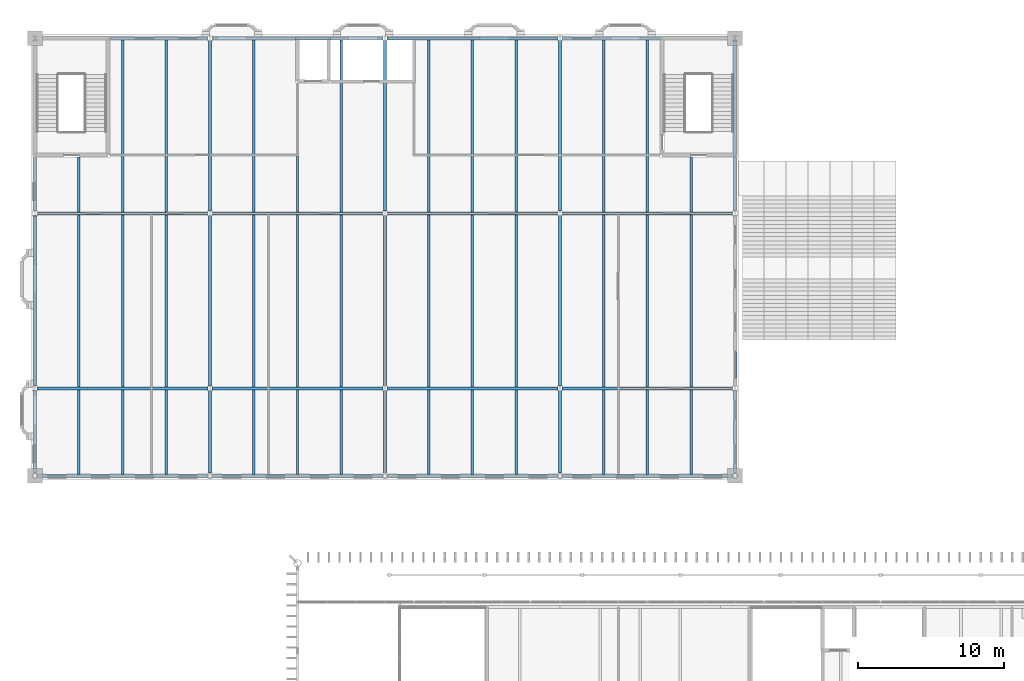
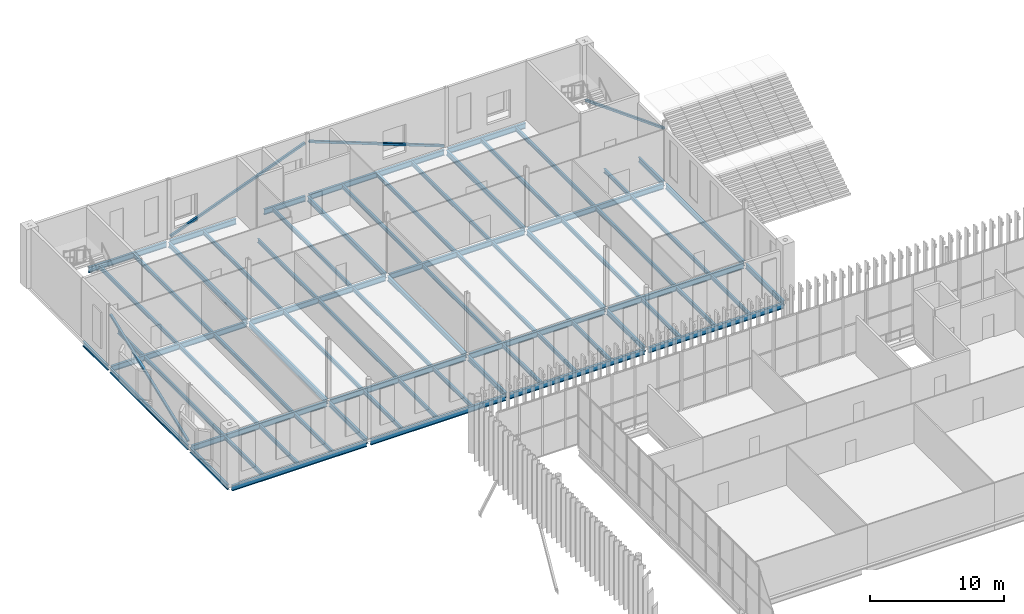
# One storey, part 76 of 170: 68 beams, 4 members.
"""IFC4 building model written with IfcOpenShell, lengths in metres."""

from ifc_helpers import new_model, si_unit, direction, frame, origin, origin_2d, place, context, subcontext, project, spatial, hollow_rectangle, i_section, extrude, material, material_profile, profile_set, type_object, element, save


model = new_model("IFC4")

# Units and contexts
model_context = context("Model", 3, precision=1e-05, world=origin(), true_north=direction((0.0, 1.0)))
body_context = subcontext(model_context, "Body", "Model", "MODEL_VIEW")
ifc_project = project(units=[si_unit("LENGTHUNIT", "METRE"), si_unit("AREAUNIT", "SQUARE_METRE"), si_unit("VOLUMEUNIT", "CUBIC_METRE"), si_unit("PLANEANGLEUNIT", "RADIAN"), si_unit("MASSUNIT", "GRAM", prefix="KILO")], contexts=[model_context])

# Site, building, storey
site_placement = place(None, origin())
site = spatial("IfcSite", under=ifc_project, at=site_placement, CompositionType="ELEMENT")
building_placement = place(site_placement, origin())
building = spatial("IfcBuilding", under=site, at=building_placement, Name="Ravi Spectrum Wholesale Market", CompositionType="ELEMENT")
storey_placement = place(building_placement, frame((0.0, 0.0, 5.39990234375)))
storey = spatial("IfcBuildingStorey", under=building, at=storey_placement, Name="L01", CompositionType="ELEMENT", Elevation=5.39990234375)

# Beams
ifc_material_1 = material(Name="Steel S355", Category="steel")
ifc_material_profile_1 = material_profile(ifc_material_1, i_section(OverallWidth=0.169921875, OverallDepth=0.360107421875, WebThickness=0.008056640625, FlangeThickness=0.0126953125, at=origin_2d()))
ifc_profile_set_1 = profile_set([ifc_material_profile_1], Name="Steel S355")
beam_type_1 = type_object("IfcBeamType", Name="IPE 360 beam", PredefinedType="BEAM", material=ifc_profile_set_1)
for number, where, z_axis, x_axis, name in (
    (1, (15.0, 204.10009765625, -0.429931640625), (0.0, 1.0, 0.0), (-1.0, 0.0, 0.0), "OF-BM-L01-033"),
    (2, (18.0, 204.10009765625, -0.429931640625), (0.0, 1.0, 0.0), (-1.0, 0.0, 0.0), "OF-BM-L01-034"),
    (3, (21.0, 204.10009765625, -0.429931640625), (0.0, 1.0, 0.0), (-1.0, 0.0, 0.0), "OF-BM-L01-035"),
):
    element("IfcBeam", number, at=place(storey_placement, frame(where, z_axis=z_axis, x_axis=x_axis)), inside=storey, type_object=beam_type_1, Name=name, PredefinedType="BEAM", context=body_context, shape_type="SweptSolid", body=[
        extrude(i_section(OverallWidth=0.169921875, OverallDepth=0.360107421875, WebThickness=0.008056640625, FlangeThickness=0.0126953125, at=origin_2d()), origin(), (0.0, 0.0, 1.0), 5.7998046875),
    ])
for number, where, z_axis, x_axis, name in (
    (4, (15.0, 210.10009765625, -0.429931640625), (0.0, 1.0, 0.0), (-1.0, 0.0, 0.0), "OF-BM-L01-036"),
    (5, (18.0, 210.10009765625, -0.429931640625), (0.0, 1.0, 0.0), (-1.0, 0.0, 0.0), "OF-BM-L01-037"),
    (6, (21.0, 210.10009765625, -0.429931640625), (0.0, 1.0, 0.0), (-1.0, 0.0, 0.0), "OF-BM-L01-038"),
):
    element("IfcBeam", number, at=place(storey_placement, frame(where, z_axis=z_axis, x_axis=x_axis)), inside=storey, type_object=beam_type_1, Name=name, PredefinedType="BEAM", context=body_context, shape_type="SweptSolid", body=[
        extrude(i_section(OverallWidth=0.169921875, OverallDepth=0.360107421875, WebThickness=0.008056640625, FlangeThickness=0.0126953125, at=origin_2d()), origin(), (0.0, 0.0, 1.0), 11.7998046875),
    ])
beam_1_placement = place(storey_placement, frame((15.0, 222.10009765625, -0.429931640625), z_axis=(0.0, 1.0, 0.0), x_axis=(-1.0, 0.0, 0.0)))
element("IfcBeam", 7, at=beam_1_placement, inside=storey, type_object=beam_type_1, Name="OF-BM-L01-039", PredefinedType="BEAM", context=body_context, shape_type="SweptSolid", body=[
    extrude(i_section(OverallWidth=0.169921875, OverallDepth=0.360107421875, WebThickness=0.008056640625, FlangeThickness=0.0126953125, at=origin_2d()), origin(), (0.0, 0.0, 1.0), 3.77490234375),
])
for number, where, z_axis, x_axis, name in (
    (8, (18.0, 222.10009765625, -0.429931640625), (0.0, 1.0, 0.0), (-1.0, 0.0, 0.0), "OF-BM-L01-040"),
    (9, (21.0, 222.10009765625, -0.429931640625), (0.0, 1.0, 0.0), (-1.0, 0.0, 0.0), "OF-BM-L01-041"),
):
    element("IfcBeam", number, at=place(storey_placement, frame(where, z_axis=z_axis, x_axis=x_axis)), inside=storey, type_object=beam_type_1, Name=name, PredefinedType="BEAM", context=body_context, shape_type="SweptSolid", body=[
        extrude(i_section(OverallWidth=0.169921875, OverallDepth=0.360107421875, WebThickness=0.008056640625, FlangeThickness=0.0126953125, at=origin_2d()), origin(), (0.0, 0.0, 1.0), 11.7998046875),
    ])
for number, where, z_axis, x_axis, name in (
    (10, (27.0, 204.10009765625, -0.429931640625), (0.0, 1.0, 0.0), (-1.0, 0.0, 0.0), "OF-BM-L01-042"),
    (11, (30.0, 204.10009765625, -0.429931640625), (0.0, 1.0, 0.0), (-1.0, 0.0, 0.0), "OF-BM-L01-043"),
    (12, (33.0, 204.10009765625, -0.429931640625), (0.0, 1.0, 0.0), (-1.0, 0.0, 0.0), "OF-BM-L01-044"),
):
    element("IfcBeam", number, at=place(storey_placement, frame(where, z_axis=z_axis, x_axis=x_axis)), inside=storey, type_object=beam_type_1, Name=name, PredefinedType="BEAM", context=body_context, shape_type="SweptSolid", body=[
        extrude(i_section(OverallWidth=0.169921875, OverallDepth=0.360107421875, WebThickness=0.008056640625, FlangeThickness=0.0126953125, at=origin_2d()), origin(), (0.0, 0.0, 1.0), 5.7998046875),
    ])
for number, where, z_axis, x_axis, name in (
    (13, (27.0, 210.10009765625, -0.429931640625), (0.0, 1.0, 0.0), (-1.0, 0.0, 0.0), "OF-BM-L01-045"),
    (14, (30.0, 210.10009765625, -0.429931640625), (0.0, 1.0, 0.0), (-1.0, 0.0, 0.0), "OF-BM-L01-046"),
    (15, (33.0, 210.10009765625, -0.429931640625), (0.0, 1.0, 0.0), (-1.0, 0.0, 0.0), "OF-BM-L01-047"),
    (16, (27.0, 222.10009765625, -0.429931640625), (0.0, 1.0, 0.0), (-1.0, 0.0, 0.0), "OF-BM-L01-048"),
):
    element("IfcBeam", number, at=place(storey_placement, frame(where, z_axis=z_axis, x_axis=x_axis)), inside=storey, type_object=beam_type_1, Name=name, PredefinedType="BEAM", context=body_context, shape_type="SweptSolid", body=[
        extrude(i_section(OverallWidth=0.169921875, OverallDepth=0.360107421875, WebThickness=0.008056640625, FlangeThickness=0.0126953125, at=origin_2d()), origin(), (0.0, 0.0, 1.0), 11.7998046875),
    ])
beam_2_placement = place(storey_placement, frame((30.0, 222.10009765625, -0.429931640625), z_axis=(0.0, 1.0, 0.0), x_axis=(-1.0, 0.0, 0.0)))
element("IfcBeam", 17, at=beam_2_placement, inside=storey, type_object=beam_type_1, Name="OF-BM-L01-049", PredefinedType="BEAM", context=body_context, shape_type="SweptSolid", body=[
    extrude(i_section(OverallWidth=0.169921875, OverallDepth=0.360107421875, WebThickness=0.008056640625, FlangeThickness=0.0126953125, at=origin_2d()), origin(), (0.0, 0.0, 1.0), 8.824951171875),
])
beam_3_placement = place(storey_placement, frame((33.0, 222.10009765625, -0.429931640625), z_axis=(0.0, 1.0, 0.0), x_axis=(-1.0, 0.0, 0.0)))
element("IfcBeam", 18, at=beam_3_placement, inside=storey, type_object=beam_type_1, Name="OF-BM-L01-050", PredefinedType="BEAM", context=body_context, shape_type="SweptSolid", body=[
    extrude(i_section(OverallWidth=0.169921875, OverallDepth=0.360107421875, WebThickness=0.008056640625, FlangeThickness=0.0126953125, at=origin_2d()), origin(), (0.0, 0.0, 1.0), 11.7998046875),
])
for number, where, z_axis, x_axis, name in (
    (19, (39.0, 204.10009765625, -0.429931640625), (0.0, 1.0, 0.0), (-1.0, 0.0, 0.0), "OF-BM-L01-051"),
    (20, (42.0, 204.10009765625, -0.429931640625), (0.0, 1.0, 0.0), (-1.0, 0.0, 0.0), "OF-BM-L01-052"),
    (21, (45.0, 204.10009765625, -0.429931640625), (0.0, 1.0, 0.0), (-1.0, 0.0, 0.0), "OF-BM-L01-053"),
):
    element("IfcBeam", number, at=place(storey_placement, frame(where, z_axis=z_axis, x_axis=x_axis)), inside=storey, type_object=beam_type_1, Name=name, PredefinedType="BEAM", context=body_context, shape_type="SweptSolid", body=[
        extrude(i_section(OverallWidth=0.169921875, OverallDepth=0.360107421875, WebThickness=0.008056640625, FlangeThickness=0.0126953125, at=origin_2d()), origin(), (0.0, 0.0, 1.0), 5.7998046875),
    ])
for number, where, z_axis, x_axis, name in (
    (22, (39.0, 210.10009765625, -0.429931640625), (0.0, 1.0, 0.0), (-1.0, 0.0, 0.0), "OF-BM-L01-054"),
    (23, (42.0, 210.10009765625, -0.429931640625), (0.0, 1.0, 0.0), (-1.0, 0.0, 0.0), "OF-BM-L01-055"),
    (24, (45.0, 210.10009765625, -0.429931640625), (0.0, 1.0, 0.0), (-1.0, 0.0, 0.0), "OF-BM-L01-056"),
    (25, (39.0, 222.10009765625, -0.429931640625), (0.0, 1.0, 0.0), (-1.0, 0.0, 0.0), "OF-BM-L01-057"),
    (26, (42.0, 222.10009765625, -0.429931640625), (0.0, 1.0, 0.0), (-1.0, 0.0, 0.0), "OF-BM-L01-058"),
    (27, (45.0, 222.10009765625, -0.429931640625), (0.0, 1.0, 0.0), (-1.0, 0.0, 0.0), "OF-BM-L01-059"),
):
    element("IfcBeam", number, at=place(storey_placement, frame(where, z_axis=z_axis, x_axis=x_axis)), inside=storey, type_object=beam_type_1, Name=name, PredefinedType="BEAM", context=body_context, shape_type="SweptSolid", body=[
        extrude(i_section(OverallWidth=0.169921875, OverallDepth=0.360107421875, WebThickness=0.008056640625, FlangeThickness=0.0126953125, at=origin_2d()), origin(), (0.0, 0.0, 1.0), 11.7998046875),
    ])
for number, where, z_axis, x_axis, name in (
    (28, (51.0, 204.10009765625, -0.429931640625), (0.0, 1.0, 0.0), (-1.0, 0.0, 0.0), "OF-BM-L01-060"),
    (29, (54.0, 204.10009765625, -0.429931640625), (0.0, 1.0, 0.0), (-1.0, 0.0, 0.0), "OF-BM-L01-061"),
    (30, (57.0, 204.10009765625, -0.429931640625), (0.0, 1.0, 0.0), (-1.0, 0.0, 0.0), "OF-BM-L01-062"),
):
    element("IfcBeam", number, at=place(storey_placement, frame(where, z_axis=z_axis, x_axis=x_axis)), inside=storey, type_object=beam_type_1, Name=name, PredefinedType="BEAM", context=body_context, shape_type="SweptSolid", body=[
        extrude(i_section(OverallWidth=0.169921875, OverallDepth=0.360107421875, WebThickness=0.008056640625, FlangeThickness=0.0126953125, at=origin_2d()), origin(), (0.0, 0.0, 1.0), 5.7998046875),
    ])
for number, where, z_axis, x_axis, name in (
    (31, (51.0, 210.10009765625, -0.429931640625), (0.0, 1.0, 0.0), (-1.0, 0.0, 0.0), "OF-BM-L01-063"),
    (32, (54.0, 210.10009765625, -0.429931640625), (0.0, 1.0, 0.0), (-1.0, 0.0, 0.0), "OF-BM-L01-064"),
    (33, (57.0, 210.10009765625, -0.429931640625), (0.0, 1.0, 0.0), (-1.0, 0.0, 0.0), "OF-BM-L01-065"),
    (34, (51.0, 222.10009765625, -0.429931640625), (0.0, 1.0, 0.0), (-1.0, 0.0, 0.0), "OF-BM-L01-066"),
    (35, (54.0, 222.10009765625, -0.429931640625), (0.0, 1.0, 0.0), (-1.0, 0.0, 0.0), "OF-BM-L01-067"),
):
    element("IfcBeam", number, at=place(storey_placement, frame(where, z_axis=z_axis, x_axis=x_axis)), inside=storey, type_object=beam_type_1, Name=name, PredefinedType="BEAM", context=body_context, shape_type="SweptSolid", body=[
        extrude(i_section(OverallWidth=0.169921875, OverallDepth=0.360107421875, WebThickness=0.008056640625, FlangeThickness=0.0126953125, at=origin_2d()), origin(), (0.0, 0.0, 1.0), 11.7998046875),
    ])
beam_4_placement = place(storey_placement, frame((57.0, 222.10009765625, -0.429931640625), z_axis=(0.0, 1.0, 0.0), x_axis=(-1.0, 0.0, 0.0)))
element("IfcBeam", 36, at=beam_4_placement, inside=storey, type_object=beam_type_1, Name="OF-BM-L01-068", PredefinedType="BEAM", context=body_context, shape_type="SweptSolid", body=[
    extrude(i_section(OverallWidth=0.169921875, OverallDepth=0.360107421875, WebThickness=0.008056640625, FlangeThickness=0.0126953125, at=origin_2d()), origin(), (0.0, 0.0, 1.0), 3.77490234375),
])
ifc_material_2 = material(Name="Steel S355", Category="steel")
ifc_material_profile_2 = material_profile(ifc_material_2, i_section(OverallWidth=0.18994140625, OverallDepth=0.449951171875, WebThickness=0.009521484375, FlangeThickness=0.0146484375, at=origin_2d()))
ifc_profile_set_2 = profile_set([ifc_material_profile_2], Name="Steel S355")
beam_type_2 = type_object("IfcBeamType", Name="IPE 450 girder", PredefinedType="BEAM", material=ifc_profile_set_2)
beam_5_placement = place(storey_placement, frame((12.0, 204.177734375, -0.474853515625), z_axis=(0.0, 1.0, 0.0), x_axis=(-1.0, 0.0, 0.0)))
element("IfcBeam", 37, at=beam_5_placement, inside=storey, type_object=beam_type_2, Name="OF-BM-L01-018", PredefinedType="BEAM", context=body_context, shape_type="SweptSolid", body=[
    extrude(i_section(OverallWidth=0.18994140625, OverallDepth=0.449951171875, WebThickness=0.009521484375, FlangeThickness=0.0146484375, at=origin_2d()), origin(), (0.0, 0.0, 1.0), 5.67236328125),
])
beam_6_placement = place(storey_placement, frame((12.0, 210.14990234375, -0.474853515625), z_axis=(0.0, 1.0, 0.0), x_axis=(-1.0, 0.0, 0.0)))
element("IfcBeam", 38, at=beam_6_placement, inside=storey, type_object=beam_type_2, Name="OF-BM-L01-019", PredefinedType="BEAM", context=body_context, shape_type="SweptSolid", body=[
    extrude(i_section(OverallWidth=0.18994140625, OverallDepth=0.449951171875, WebThickness=0.009521484375, FlangeThickness=0.0146484375, at=origin_2d()), origin(), (0.0, 0.0, 1.0), 11.7001953125),
])
beam_7_placement = place(storey_placement, frame((12.0, 222.14990234375, -0.474853515625), z_axis=(0.0, 1.0, 0.0), x_axis=(-1.0, 0.0, 0.0)))
element("IfcBeam", 39, at=beam_7_placement, inside=storey, type_object=beam_type_2, Name="OF-BM-L01-020", PredefinedType="BEAM", context=body_context, shape_type="SweptSolid", body=[
    extrude(i_section(OverallWidth=0.18994140625, OverallDepth=0.449951171875, WebThickness=0.009521484375, FlangeThickness=0.0146484375, at=origin_2d()), origin(), (0.0, 0.0, 1.0), 3.72509765625),
])
beam_8_placement = place(storey_placement, frame((24.0, 204.177734375, -0.474853515625), z_axis=(0.0, 1.0, 0.0), x_axis=(-1.0, 0.0, 0.0)))
element("IfcBeam", 40, at=beam_8_placement, inside=storey, type_object=beam_type_2, Name="OF-BM-L01-021", PredefinedType="BEAM", context=body_context, shape_type="SweptSolid", body=[
    extrude(i_section(OverallWidth=0.18994140625, OverallDepth=0.449951171875, WebThickness=0.009521484375, FlangeThickness=0.0146484375, at=origin_2d()), origin(), (0.0, 0.0, 1.0), 5.67236328125),
])
for number, where, z_axis, x_axis, name in (
    (41, (24.0, 210.14990234375, -0.474853515625), (0.0, 1.0, 0.0), (-1.0, 0.0, 0.0), "OF-BM-L01-022"),
    (42, (24.0, 222.14990234375, -0.474853515625), (0.0, 1.0, 0.0), (-1.0, 0.0, 0.0), "OF-BM-L01-023"),
):
    element("IfcBeam", number, at=place(storey_placement, frame(where, z_axis=z_axis, x_axis=x_axis)), inside=storey, type_object=beam_type_2, Name=name, PredefinedType="BEAM", context=body_context, shape_type="SweptSolid", body=[
        extrude(i_section(OverallWidth=0.18994140625, OverallDepth=0.449951171875, WebThickness=0.009521484375, FlangeThickness=0.0146484375, at=origin_2d()), origin(), (0.0, 0.0, 1.0), 11.7001953125),
    ])
beam_9_placement = place(storey_placement, frame((36.0, 204.177734375, -0.474853515625), z_axis=(0.0, 1.0, 0.0), x_axis=(-1.0, 0.0, 0.0)))
element("IfcBeam", 43, at=beam_9_placement, inside=storey, type_object=beam_type_2, Name="OF-BM-L01-024", PredefinedType="BEAM", context=body_context, shape_type="SweptSolid", body=[
    extrude(i_section(OverallWidth=0.18994140625, OverallDepth=0.449951171875, WebThickness=0.009521484375, FlangeThickness=0.0146484375, at=origin_2d()), origin(), (0.0, 0.0, 1.0), 5.67236328125),
])
for number, where, z_axis, x_axis, name in (
    (44, (36.0, 210.14990234375, -0.474853515625), (0.0, 1.0, 0.0), (-1.0, 0.0, 0.0), "OF-BM-L01-025"),
    (45, (36.0, 222.14990234375, -0.474853515625), (0.0, 1.0, 0.0), (-1.0, 0.0, 0.0), "OF-BM-L01-026"),
):
    element("IfcBeam", number, at=place(storey_placement, frame(where, z_axis=z_axis, x_axis=x_axis)), inside=storey, type_object=beam_type_2, Name=name, PredefinedType="BEAM", context=body_context, shape_type="SweptSolid", body=[
        extrude(i_section(OverallWidth=0.18994140625, OverallDepth=0.449951171875, WebThickness=0.009521484375, FlangeThickness=0.0146484375, at=origin_2d()), origin(), (0.0, 0.0, 1.0), 11.7001953125),
    ])
beam_10_placement = place(storey_placement, frame((48.0, 204.177734375, -0.474853515625), z_axis=(0.0, 1.0, 0.0), x_axis=(-1.0, 0.0, 0.0)))
element("IfcBeam", 46, at=beam_10_placement, inside=storey, type_object=beam_type_2, Name="OF-BM-L01-027", PredefinedType="BEAM", context=body_context, shape_type="SweptSolid", body=[
    extrude(i_section(OverallWidth=0.18994140625, OverallDepth=0.449951171875, WebThickness=0.009521484375, FlangeThickness=0.0146484375, at=origin_2d()), origin(), (0.0, 0.0, 1.0), 5.67236328125),
])
for number, where, z_axis, x_axis, name in (
    (47, (48.0, 210.14990234375, -0.474853515625), (0.0, 1.0, 0.0), (-1.0, 0.0, 0.0), "OF-BM-L01-028"),
    (48, (48.0, 222.14990234375, -0.474853515625), (0.0, 1.0, 0.0), (-1.0, 0.0, 0.0), "OF-BM-L01-029"),
):
    element("IfcBeam", number, at=place(storey_placement, frame(where, z_axis=z_axis, x_axis=x_axis)), inside=storey, type_object=beam_type_2, Name=name, PredefinedType="BEAM", context=body_context, shape_type="SweptSolid", body=[
        extrude(i_section(OverallWidth=0.18994140625, OverallDepth=0.449951171875, WebThickness=0.009521484375, FlangeThickness=0.0146484375, at=origin_2d()), origin(), (0.0, 0.0, 1.0), 11.7001953125),
    ])
beam_11_placement = place(storey_placement, frame((60.0, 204.177734375, -0.474853515625), z_axis=(0.0, 1.0, 0.0), x_axis=(-1.0, 0.0, 0.0)))
element("IfcBeam", 49, at=beam_11_placement, inside=storey, type_object=beam_type_2, Name="OF-BM-L01-030", PredefinedType="BEAM", context=body_context, shape_type="SweptSolid", body=[
    extrude(i_section(OverallWidth=0.18994140625, OverallDepth=0.449951171875, WebThickness=0.009521484375, FlangeThickness=0.0146484375, at=origin_2d()), origin(), (0.0, 0.0, 1.0), 5.67236328125),
])
beam_12_placement = place(storey_placement, frame((60.0, 210.14990234375, -0.474853515625), z_axis=(0.0, 1.0, 0.0), x_axis=(-1.0, 0.0, 0.0)))
element("IfcBeam", 50, at=beam_12_placement, inside=storey, type_object=beam_type_2, Name="OF-BM-L01-031", PredefinedType="BEAM", context=body_context, shape_type="SweptSolid", body=[
    extrude(i_section(OverallWidth=0.18994140625, OverallDepth=0.449951171875, WebThickness=0.009521484375, FlangeThickness=0.0146484375, at=origin_2d()), origin(), (0.0, 0.0, 1.0), 11.7001953125),
])
beam_13_placement = place(storey_placement, frame((60.0, 222.14990234375, -0.474853515625), z_axis=(0.0, 1.0, 0.0), x_axis=(-1.0, 0.0, 0.0)))
element("IfcBeam", 51, at=beam_13_placement, inside=storey, type_object=beam_type_2, Name="OF-BM-L01-032", PredefinedType="BEAM", context=body_context, shape_type="SweptSolid", body=[
    extrude(i_section(OverallWidth=0.18994140625, OverallDepth=0.449951171875, WebThickness=0.009521484375, FlangeThickness=0.0146484375, at=origin_2d()), origin(), (0.0, 0.0, 1.0), 3.72509765625),
])
ifc_material_3 = material(Name="Steel S355", Category="steel")
ifc_material_profile_3 = material_profile(ifc_material_3, i_section(OverallWidth=0.199951171875, OverallDepth=0.5, WebThickness=0.01025390625, FlangeThickness=0.01611328125, at=origin_2d()))
ifc_profile_set_3 = profile_set([ifc_material_profile_3], Name="Steel S355")
beam_type_3 = type_object("IfcBeamType", Name="IPE 500 beam", PredefinedType="BEAM", material=ifc_profile_set_3)
for number, where, z_axis, x_axis, name in (
    (52, (12.177734375, 204.0, -0.5), (1.0, 0.0, 0.0), (0.0, 1.0, 0.0), "OF-BM-L01-001"),
    (53, (24.177734375, 204.0, -0.5), (1.0, 0.0, 0.0), (0.0, 1.0, 0.0), "OF-BM-L01-002"),
    (54, (36.177734375, 204.0, -0.5), (1.0, 0.0, 0.0), (0.0, 1.0, 0.0), "OF-BM-L01-003"),
    (55, (48.177734375, 204.0, -0.5), (1.0, 0.0, 0.0), (0.0, 1.0, 0.0), "OF-BM-L01-004"),
):
    element("IfcBeam", number, at=place(storey_placement, frame(where, z_axis=z_axis, x_axis=x_axis)), inside=storey, type_object=beam_type_3, Name=name, PredefinedType="BEAM", context=body_context, shape_type="SweptSolid", body=[
        extrude(i_section(OverallWidth=0.199951171875, OverallDepth=0.5, WebThickness=0.01025390625, FlangeThickness=0.01611328125, at=origin_2d()), origin(), (0.0, 0.0, 1.0), 11.64453125),
    ])
for number, where, z_axis, x_axis, name in (
    (56, (12.14990234375, 210.0, -0.5), (1.0, 0.0, 0.0), (0.0, 1.0, 0.0), "OF-BM-L01-005"),
    (57, (24.14990234375, 210.0, -0.5), (1.0, 0.0, 0.0), (0.0, 1.0, 0.0), "OF-BM-L01-006"),
    (58, (36.14990234375, 210.0, -0.5), (1.0, 0.0, 0.0), (0.0, 1.0, 0.0), "OF-BM-L01-007"),
    (59, (48.14990234375, 210.0, -0.5), (1.0, 0.0, 0.0), (0.0, 1.0, 0.0), "OF-BM-L01-008"),
    (60, (12.14990234375, 222.0, -0.5), (1.0, 0.0, 0.0), (0.0, 1.0, 0.0), "OF-BM-L01-009"),
    (61, (24.14990234375, 222.0, -0.5), (1.0, 0.0, 0.0), (0.0, 1.0, 0.0), "OF-BM-L01-010"),
    (62, (36.14990234375, 222.0, -0.5), (1.0, 0.0, 0.0), (0.0, 1.0, 0.0), "OF-BM-L01-011"),
    (63, (48.14990234375, 222.0, -0.5), (1.0, 0.0, 0.0), (0.0, 1.0, 0.0), "OF-BM-L01-012"),
):
    element("IfcBeam", number, at=place(storey_placement, frame(where, z_axis=z_axis, x_axis=x_axis)), inside=storey, type_object=beam_type_3, Name=name, PredefinedType="BEAM", context=body_context, shape_type="SweptSolid", body=[
        extrude(i_section(OverallWidth=0.199951171875, OverallDepth=0.5, WebThickness=0.01025390625, FlangeThickness=0.01611328125, at=origin_2d()), origin(), (0.0, 0.0, 1.0), 11.7001953125),
    ])
beam_14_placement = place(storey_placement, frame((17.125, 234.0, -0.5), z_axis=(1.0, 0.0, 0.0), x_axis=(0.0, 1.0, 0.0)))
element("IfcBeam", 64, at=beam_14_placement, inside=storey, type_object=beam_type_3, Name="OF-BM-L01-013", PredefinedType="BEAM", context=body_context, shape_type="SweptSolid", body=[
    extrude(i_section(OverallWidth=0.199951171875, OverallDepth=0.5, WebThickness=0.01025390625, FlangeThickness=0.01611328125, at=origin_2d()), origin(), (0.0, 0.0, 1.0), 6.72509765625),
])
beam_15_placement = place(storey_placement, frame((24.14990234375, 234.0, -0.5), z_axis=(1.0, 0.0, 0.0), x_axis=(0.0, 1.0, 0.0)))
element("IfcBeam", 65, at=beam_15_placement, inside=storey, type_object=beam_type_3, Name="OF-BM-L01-014", PredefinedType="BEAM", context=body_context, shape_type="SweptSolid", body=[
    extrude(i_section(OverallWidth=0.199951171875, OverallDepth=0.5, WebThickness=0.01025390625, FlangeThickness=0.01611328125, at=origin_2d()), origin(), (0.0, 0.0, 1.0), 5.72509765625),
])
beam_16_placement = place(storey_placement, frame((32.27490234375, 234.0, -0.5), z_axis=(1.0, 0.0, 0.0), x_axis=(0.0, 1.0, 0.0)))
element("IfcBeam", 66, at=beam_16_placement, inside=storey, type_object=beam_type_3, Name="OF-BM-L01-015", PredefinedType="BEAM", context=body_context, shape_type="SweptSolid", body=[
    extrude(i_section(OverallWidth=0.199951171875, OverallDepth=0.5, WebThickness=0.01025390625, FlangeThickness=0.01611328125, at=origin_2d()), origin(), (0.0, 0.0, 1.0), 3.5751953125),
])
beam_17_placement = place(storey_placement, frame((36.14990234375, 234.0, -0.5), z_axis=(1.0, 0.0, 0.0), x_axis=(0.0, 1.0, 0.0)))
element("IfcBeam", 67, at=beam_17_placement, inside=storey, type_object=beam_type_3, Name="OF-BM-L01-016", PredefinedType="BEAM", context=body_context, shape_type="SweptSolid", body=[
    extrude(i_section(OverallWidth=0.199951171875, OverallDepth=0.5, WebThickness=0.01025390625, FlangeThickness=0.01611328125, at=origin_2d()), origin(), (0.0, 0.0, 1.0), 11.7001953125),
])
beam_18_placement = place(storey_placement, frame((48.14990234375, 234.0, -0.5), z_axis=(1.0, 0.0, 0.0), x_axis=(0.0, 1.0, 0.0)))
element("IfcBeam", 68, at=beam_18_placement, inside=storey, type_object=beam_type_3, Name="OF-BM-L01-017", PredefinedType="BEAM", context=body_context, shape_type="SweptSolid", body=[
    extrude(i_section(OverallWidth=0.199951171875, OverallDepth=0.5, WebThickness=0.01025390625, FlangeThickness=0.01611328125, at=origin_2d()), origin(), (0.0, 0.0, 1.0), 6.72509765625),
])

# Members
ifc_material_4 = material(Name="Steel S355", Category="steel")
ifc_material_profile_4 = material_profile(ifc_material_4, hollow_rectangle(XDim=0.199951171875, YDim=0.199951171875, WallThickness=0.008056640625, InnerFilletRadius=0.008056640625, OuterFilletRadius=0.01611328125, at=origin_2d()))
ifc_profile_set_4 = profile_set([ifc_material_profile_4], Name="Steel S355")
member_type = type_object("IfcMemberType", Name="SHS 200x200x8 brace", PredefinedType="BRACE", material=ifc_profile_set_4)
for number, where, z_axis, x_axis, name in (
    (69, (24.185791015625, 234.0, 0.093505859375), (0.933596452802, 0.0, 0.358326196802), (0.0, 1.0, 0.0), "OF-MB-L01-001"),
    (70, (36.185791015625, 234.0, 4.556640625), (0.933596452802, 0.0, -0.358326196802), (0.0, 1.0, 0.0), "OF-MB-L01-002"),
):
    element("IfcMember", number, at=place(storey_placement, frame(where, z_axis=z_axis, x_axis=x_axis)), inside=storey, type_object=member_type, Name=name, PredefinedType="BRACE", context=body_context, shape_type="SweptSolid", body=[
        extrude(hollow_rectangle(XDim=0.199951171875, YDim=0.199951171875, WallThickness=0.008056640625, InnerFilletRadius=0.008056640625, OuterFilletRadius=0.01611328125, at=origin_2d()), origin(), (0.0, 0.0, 1.0), 12.45556640625),
    ])
for number, where, z_axis, x_axis, name in (
    (71, (12.0, 210.186279296875, 0.09326171875), (0.0, 0.932224168291, 0.361881334216), (-1.0, 0.0, 0.0), "OF-MB-L01-003"),
    (72, (60.0, 222.186279296875, 4.60693359375), (0.0, 0.932224168291, -0.361881334216), (-1.0, 0.0, 0.0), "OF-MB-L01-004"),
):
    element("IfcMember", number, at=place(storey_placement, frame(where, z_axis=z_axis, x_axis=x_axis)), inside=storey, type_object=member_type, Name=name, PredefinedType="BRACE", context=body_context, shape_type="SweptSolid", body=[
        extrude(hollow_rectangle(XDim=0.199951171875, YDim=0.199951171875, WallThickness=0.008056640625, InnerFilletRadius=0.008056640625, OuterFilletRadius=0.01611328125, at=origin_2d()), origin(), (0.0, 0.0, 1.0), 12.472900390625),
    ])

save(model, "model.ifc")
